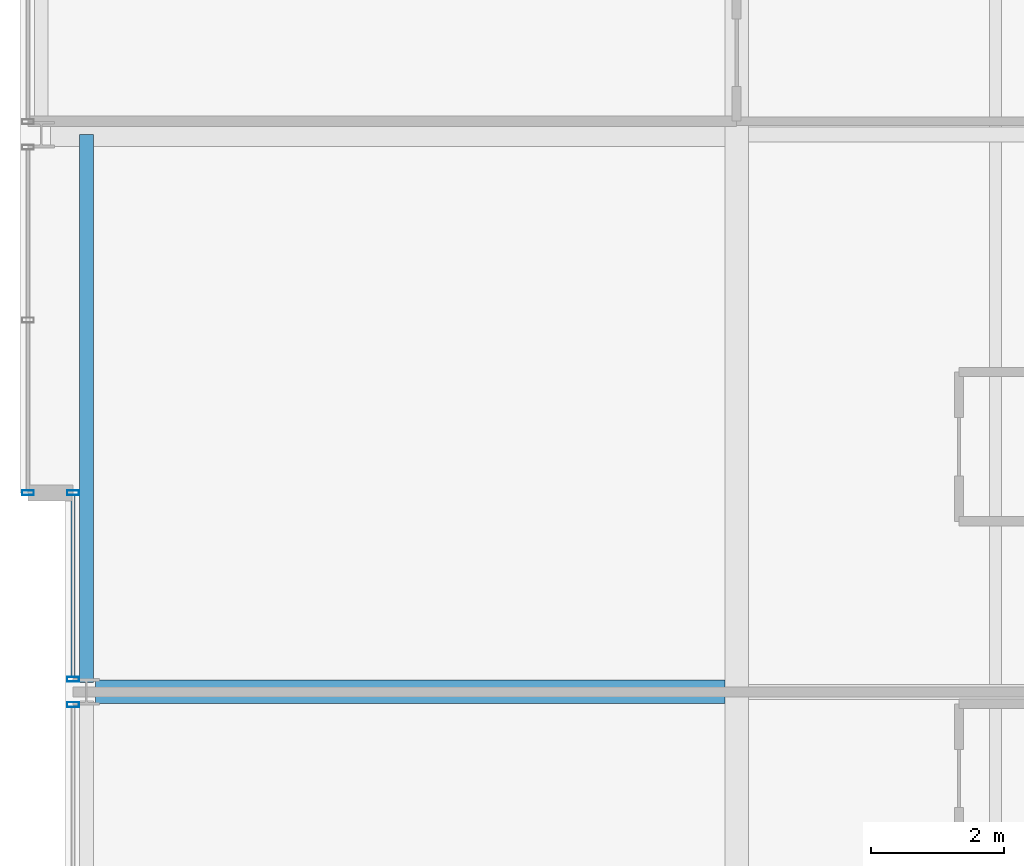
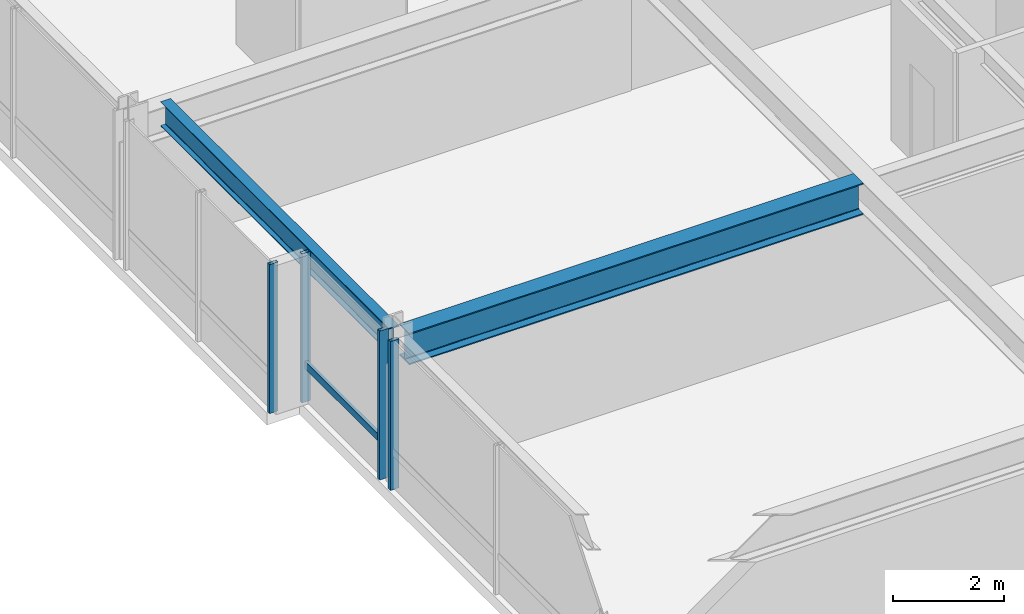
# One storey, part 9 of 33: 5 members, 2 beams, 3 elements without a shape of their own.
"""IFC4 building model written with IfcOpenShell, lengths in metres."""

from ifc_helpers import new_model, si_unit, direction, frame, origin, origin_2d, place, context, subcontext, project, spatial, hollow_rectangle, i_section, extrude, material, layer, layer_set, material_profile, profile_set, type_object, element, aggregate, save


model = new_model("IFC4")

# Units and contexts
model_context = context("Model", 3, precision=1e-05, world=origin(), true_north=direction((0.0, 1.0)))
body_context = subcontext(model_context, "Body", "Model", "MODEL_VIEW")
ifc_project = project(units=[si_unit("LENGTHUNIT", "METRE"), si_unit("AREAUNIT", "SQUARE_METRE"), si_unit("VOLUMEUNIT", "CUBIC_METRE"), si_unit("PLANEANGLEUNIT", "RADIAN"), si_unit("MASSUNIT", "GRAM", prefix="KILO")], contexts=[model_context])

# Site, building, storey
site_placement = place(None, origin())
site = spatial("IfcSite", under=ifc_project, at=site_placement, CompositionType="ELEMENT")
building_placement = place(site_placement, origin())
building = spatial("IfcBuilding", under=site, at=building_placement, Name="Drelvath Grand Hotel", CompositionType="ELEMENT")
storey_placement = place(building_placement, frame((0.0, 0.0, 178.800048828125)))
storey = spatial("IfcBuildingStorey", under=building, at=storey_placement, Name="L46", CompositionType="ELEMENT", Elevation=178.800048828125)

# Curtain wall, member
ifc_material_1 = material(Name="Brushed Pale-Silver Anodised Aluminium Frame", Category="aluminium")
ifc_layer = layer(ifc_material_1, 0.199951171875)
ifc_layer_set = layer_set([ifc_layer], Name="Brushed Pale-Silver Anodised Aluminium Frame")
curtain_wall_type = type_object("IfcCurtainWallType", Name="Stick Curtain Wall CW-04 Brushed Silver Upper-Mid", PredefinedType="NOTDEFINED", material=ifc_layer_set)
curtain_wall_1_placement = place(storey_placement, origin())
curtain_wall_1 = element("IfcCurtainWall", 1, at=curtain_wall_1_placement, inside=storey, type_object=curtain_wall_type, Name="L46 CW-04 Curtain Wall CW04-L46-WM2", PredefinedType="NOTDEFINED")
ifc_material_profile_1 = material_profile(ifc_material_1, hollow_rectangle(XDim=0.06494140625, YDim=0.159912109375, WallThickness=0.00390625, at=origin_2d()), Name="HSS160X65X4")
ifc_profile_set_1 = profile_set([ifc_material_profile_1], Name="Brushed Pale-Silver Anodised Aluminium Frame")
member_type_1 = type_object("IfcMemberType", Name="Curtain Wall Horizontal Transom CW-04 HSS160X65X4", PredefinedType="USERDEFINED", material=ifc_profile_set_1)
member_1_placement = place(storey_placement, frame((-26.199951171875, 27.231689453125, 0.822509765625), z_axis=(0.0, 1.0, 0.0), x_axis=(-1.0, 0.0, 0.0)))
member_1 = element("IfcMember", 2, at=member_1_placement, type_object=member_type_1, Name="CW04-L46-WM2 Sill Transom", ObjectType="TRANSOM", PredefinedType="USERDEFINED", context=body_context, shape_type="SweptSolid", body=[
    extrude(hollow_rectangle(XDim=0.06494140625, YDim=0.159912109375, WallThickness=0.00390625, at=origin_2d()), origin(), (0.0, 0.0, 1.0), 2.728271484375),
])

curtain_wall_2_placement = place(storey_placement, origin())
curtain_wall_2 = element("IfcCurtainWall", 3, at=curtain_wall_2_placement, inside=storey, type_object=curtain_wall_type, Name="L46 CW-04 Curtain Wall CW04-L46-WM1", PredefinedType="NOTDEFINED")
ifc_material_profile_2 = material_profile(ifc_material_1, hollow_rectangle(XDim=0.074951171875, YDim=0.179931640625, WallThickness=0.0048828125, at=origin_2d()), Name="HSS180X75X5")
ifc_profile_set_2 = profile_set([ifc_material_profile_2], Name="Brushed Pale-Silver Anodised Aluminium Frame")
member_type_2 = type_object("IfcMemberType", Name="Curtain Wall Vertical Mullion CW-04 HSS180X75X5", PredefinedType="MULLION", material=ifc_profile_set_2)
member_2_placement = place(storey_placement, frame((-26.199951171875, 26.808349609375, 0.0), z_axis=(0.0, 0.0, 1.0), x_axis=(0.0, 1.0, 0.0)))
member_2 = element("IfcMember", 4, at=member_2_placement, type_object=member_type_2, Name="CW04-L46-WM1 Mullion 3", PredefinedType="MULLION", context=body_context, shape_type="SweptSolid", body=[
    extrude(hollow_rectangle(XDim=0.074951171875, YDim=0.179931640625, WallThickness=0.0048828125, at=origin_2d()), origin(), (0.0, 0.0, 1.0), 3.2900390625),
])
aggregate(curtain_wall_2, [member_2])

# Member
member_3_placement = place(storey_placement, frame((-26.199951171875, 27.191650390625, 0.0), z_axis=(0.0, 0.0, 1.0), x_axis=(0.0, 1.0, 0.0)))
member_3 = element("IfcMember", 5, at=member_3_placement, type_object=member_type_2, Name="CW04-L46-WM2 Mullion 1", PredefinedType="MULLION", context=body_context, shape_type="SweptSolid", body=[
    extrude(hollow_rectangle(XDim=0.074951171875, YDim=0.179931640625, WallThickness=0.0048828125, at=origin_2d()), origin(), (0.0, 0.0, 1.0), 3.2900390625),
])

member_4_placement = place(storey_placement, frame((-26.199951171875, 30.0, 0.0), z_axis=(0.0, 0.0, 1.0), x_axis=(0.0, 1.0, 0.0)))
member_4 = element("IfcMember", 6, at=member_4_placement, type_object=member_type_2, Name="CW04-L46-WM2 Mullion 2", PredefinedType="MULLION", context=body_context, shape_type="SweptSolid", body=[
    extrude(hollow_rectangle(XDim=0.074951171875, YDim=0.179931640625, WallThickness=0.0048828125, at=origin_2d()), origin(), (0.0, 0.0, 1.0), 3.2900390625),
])

aggregate(curtain_wall_1, [member_3, member_4, member_1])

# Curtain wall, member
curtain_wall_3_placement = place(storey_placement, origin())
curtain_wall_3 = element("IfcCurtainWall", 7, at=curtain_wall_3_placement, inside=storey, type_object=curtain_wall_type, Name="L46 CW-04 Curtain Wall CW04-L46-WN1", PredefinedType="NOTDEFINED")
member_5_placement = place(storey_placement, frame((-26.8798828125, 30.0, 0.0), z_axis=(0.0, 0.0, 1.0), x_axis=(0.0, 1.0, 0.0)))
member_5 = element("IfcMember", 8, at=member_5_placement, type_object=member_type_2, Name="CW04-L46-WN1 Mullion 1", PredefinedType="MULLION", context=body_context, shape_type="SweptSolid", body=[
    extrude(hollow_rectangle(XDim=0.074951171875, YDim=0.179931640625, WallThickness=0.0048828125, at=origin_2d()), origin(), (0.0, 0.0, 1.0), 3.2900390625),
])
aggregate(curtain_wall_3, [member_5])

# Beams
ifc_material_2 = material(Name="Steel ASTM A992 Gr 50", Category="steel")
ifc_material_profile_3 = material_profile(ifc_material_2, i_section(OverallWidth=0.210205078125, OverallDepth=0.53662109375, WebThickness=0.010986328125, FlangeThickness=0.017333984375, FilletRadius=0.01806640625, at=origin_2d()), Name="W21X68")
ifc_profile_set_3 = profile_set([ifc_material_profile_3], Name="Steel ASTM A992 Gr 50")
beam_type_1 = type_object("IfcBeamType", Name="Perimeter Spandrel Beam W21X68", PredefinedType="SPANDREL", material=ifc_profile_set_3)
beam_1_placement = place(storey_placement, frame((-26.0, 27.139892578125, 3.021728515625), z_axis=(0.0, 1.0, 0.0), x_axis=(-1.0, 0.0, 0.0)))
element("IfcBeam", 9, at=beam_1_placement, inside=storey, type_object=beam_type_1, Name="L46 Spandrel West Mid N", PredefinedType="SPANDREL", context=body_context, shape_type="SweptSolid", body=[
    extrude(i_section(OverallWidth=0.210205078125, OverallDepth=0.53662109375, WebThickness=0.010986328125, FlangeThickness=0.017333984375, FilletRadius=0.01806640625, at=origin_2d()), origin(), (0.0, 0.0, 1.0), 8.260009765625),
])
ifc_material_profile_4 = material_profile(ifc_material_2, i_section(OverallWidth=0.354736328125, OverallDepth=0.695556640625, WebThickness=0.015380859375, FlangeThickness=0.025146484375, FilletRadius=0.02392578125, at=origin_2d()), Name="W27X146")
ifc_profile_set_4 = profile_set([ifc_material_profile_4], Name="Steel ASTM A992 Gr 50")
beam_type_2 = type_object("IfcBeamType", Name="Primary Floor Girder W27X146", PredefinedType="BEAM", material=ifc_profile_set_4)
beam_2_placement = place(storey_placement, frame((-25.860107421875, 27.0, 2.942138671875), z_axis=(1.0, 0.0, 0.0), x_axis=(0.0, 1.0, 0.0)))
element("IfcBeam", 10, at=beam_2_placement, inside=storey, type_object=beam_type_2, Name="L46 West Wing Girder E", PredefinedType="BEAM", context=body_context, shape_type="SweptSolid", body=[
    extrude(i_section(OverallWidth=0.354736328125, OverallDepth=0.695556640625, WebThickness=0.015380859375, FlangeThickness=0.025146484375, FilletRadius=0.02392578125, at=origin_2d()), origin(), (0.0, 0.0, 1.0), 9.482666015625),
])

save(model, "model.ifc")
